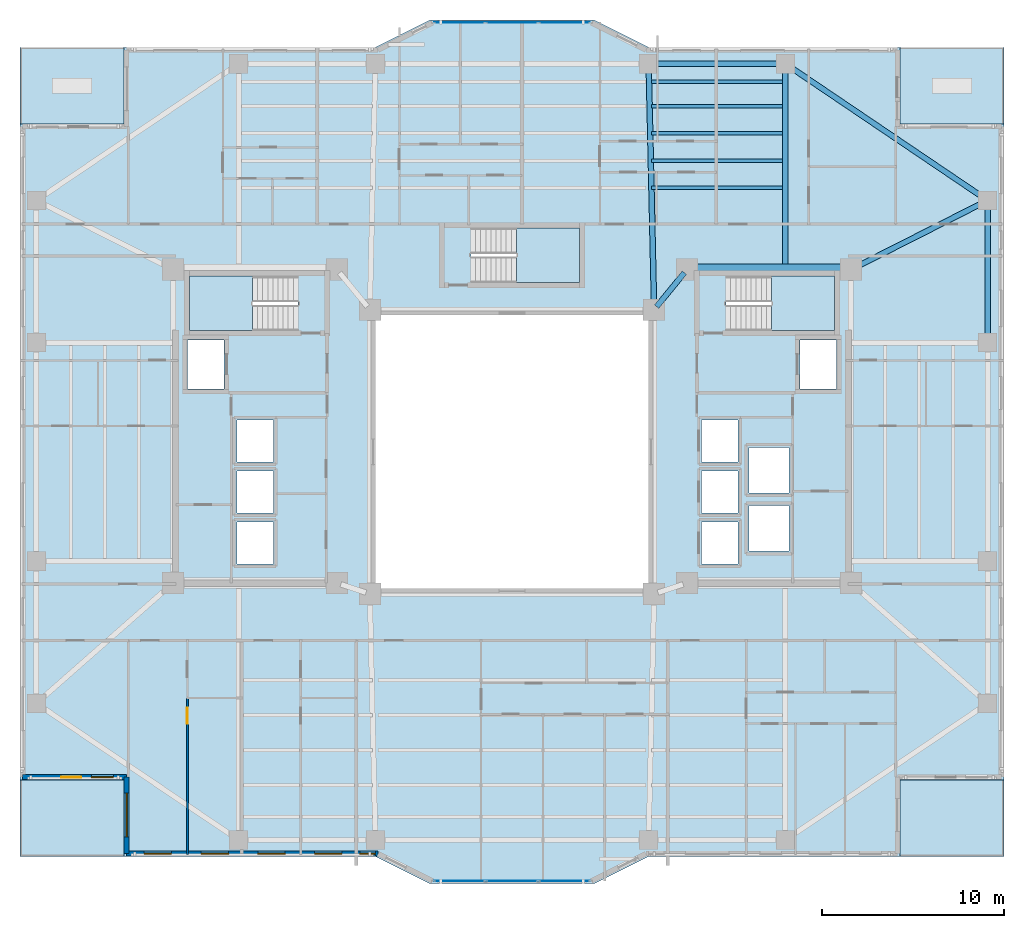
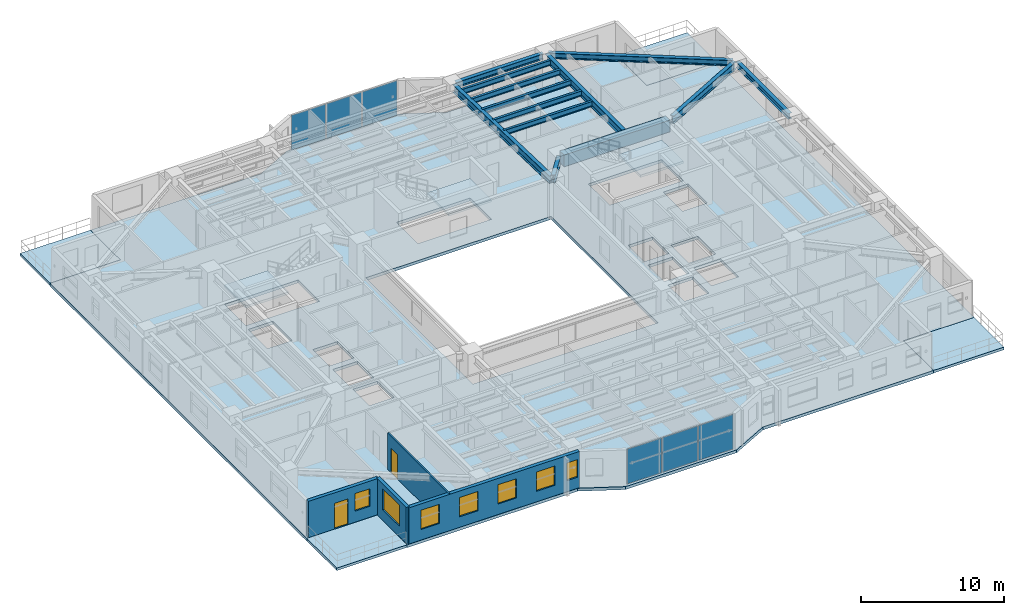
# One storey, part 5 of 19: 13 beams, 8 slabs, 7 windows, 6 plates, 4 walls, 2 doors, 9 openings, 5 elements without a shape of their own.
"""IFC4 building model written with IfcOpenShell, lengths in metres."""

from ifc_helpers import new_model, si_unit, direction, frame, frame_2d, origin, origin_2d, place, context, subcontext, project, spatial, polyline, rectangle, i_section, outline, extrude, material, layer, layer_set, material_profile, profile_set, type_object, element, fill, aggregate, save


model = new_model("IFC4")

# Units and contexts
model_context = context("Model", 3, precision=1e-05, world=origin(), true_north=direction((0.0, 1.0)))
body_context = subcontext(model_context, "Body", "Model", "MODEL_VIEW")
ifc_project = project(units=[si_unit("LENGTHUNIT", "METRE"), si_unit("AREAUNIT", "SQUARE_METRE"), si_unit("VOLUMEUNIT", "CUBIC_METRE"), si_unit("PLANEANGLEUNIT", "RADIAN"), si_unit("MASSUNIT", "GRAM", prefix="KILO")], contexts=[model_context])

# Site, building, storey
site_placement = place(None, origin())
site = spatial("IfcSite", under=ifc_project, at=site_placement, CompositionType="ELEMENT")
building_placement = place(site_placement, origin())
building = spatial("IfcBuilding", under=site, at=building_placement, Name="Tarnavaz Court Tower", CompositionType="ELEMENT")
storey_placement = place(building_placement, frame((0.0, 0.0, 78.300048828125)))
storey = spatial("IfcBuildingStorey", under=building, at=storey_placement, Name="L20", CompositionType="ELEMENT", Elevation=78.300048828125)

# Beams
ifc_material_1 = material(Name="Concrete C60/75", Category="concrete")
ifc_material_profile_1 = material_profile(ifc_material_1, rectangle(XDim=0.60009765625, YDim=1.0, at=origin_2d()), Name="RC 600X1000")
ifc_profile_set_1 = profile_set([ifc_material_profile_1], Name="Concrete C60/75")
beam_type_1 = type_object("IfcBeamType", Name="BM-CB1000", PredefinedType="LINTEL", material=ifc_profile_set_1)
beam_1_placement = place(storey_placement, frame((18.3798828125, 10.0, 2.599853515625), z_axis=(-1.0, 0.0, 0.0), x_axis=(0.0, -1.0, 0.0)))
element("IfcBeam", 1, at=beam_1_placement, inside=storey, type_object=beam_type_1, Name="L20 Beam IN-CE-NO-CE-NI", PredefinedType="LINTEL", context=body_context, shape_type="SweptSolid", body=[
    extrude(rectangle(XDim=0.60009765625, YDim=1.0, at=origin_2d()), origin(), (0.0, 0.0, 1.0), 8.559814453125),
])
ifc_material_2 = material(Name="Steel S355", Category="steel")
ifc_material_profile_2 = material_profile(ifc_material_2, i_section(OverallWidth=0.300048828125, OverallDepth=0.64990234375, WebThickness=0.01611328125, FlangeThickness=0.031005859375, FilletRadius=0.027099609375, at=origin_2d()), Name="HEB 650")
ifc_profile_set_2 = profile_set([ifc_material_profile_2], Name="Steel S355")
beam_type_2 = type_object("IfcBeamType", Name="BM-G-HEB650", PredefinedType="USERDEFINED", material=ifc_profile_set_2)
beam_2_placement = place(storey_placement, frame((9.460693359375, 9.82958984375, 2.77490234375), z_axis=(-0.633282058357, -0.773921077735, 0.0), x_axis=(0.773921077735, -0.633282058357, 0.0)))
element("IfcBeam", 2, at=beam_2_placement, inside=storey, type_object=beam_type_2, Name="L20 Beam IN-CE-NI-IW-NE", ObjectType="GIRDER", PredefinedType="USERDEFINED", context=body_context, shape_type="SweptSolid", body=[
    extrude(i_section(OverallWidth=0.300048828125, OverallDepth=0.64990234375, WebThickness=0.01611328125, FlangeThickness=0.031005859375, FilletRadius=0.027099609375, at=origin_2d()), origin(), (0.0, 0.0, 1.0), 2.402587890625),
])
beam_3_placement = place(storey_placement, frame((7.795166015625, 8.02001953125, 2.77490234375), z_axis=(-0.022221303469, 0.99975307635, 0.0), x_axis=(-0.99975307635, -0.022221303469, 0.0)))
element("IfcBeam", 3, at=beam_3_placement, inside=storey, type_object=beam_type_2, Name="L20 Beam RG-03", ObjectType="GIRDER", PredefinedType="USERDEFINED", context=body_context, shape_type="SweptSolid", body=[
    extrude(i_section(OverallWidth=0.300048828125, OverallDepth=0.64990234375, WebThickness=0.01611328125, FlangeThickness=0.031005859375, FilletRadius=0.027099609375, at=origin_2d()), origin(), (0.0, 0.0, 1.0), 13.063232421875),
])
beam_4_placement = place(storey_placement, frame((15.0, 10.0400390625, 2.77490234375), z_axis=(0.0, 1.0, 0.0), x_axis=(-1.0, 0.0, 0.0)))
element("IfcBeam", 4, at=beam_4_placement, inside=storey, type_object=beam_type_2, Name="L20 Beam RG-04", ObjectType="GIRDER", PredefinedType="USERDEFINED", context=body_context, shape_type="SweptSolid", body=[
    extrude(i_section(OverallWidth=0.300048828125, OverallDepth=0.64990234375, WebThickness=0.01611328125, FlangeThickness=0.031005859375, FilletRadius=0.027099609375, at=origin_2d()), origin(), (0.0, 0.0, 1.0), 11.0400390625),
])
beam_5_placement = place(storey_placement, frame((18.796142578125, 10.099365234375, 2.77490234375), z_axis=(0.892030669981, 0.451974870776, 0.0), x_axis=(-0.451974870776, 0.892030669981, 0.0)))
element("IfcBeam", 5, at=beam_5_placement, inside=storey, type_object=beam_type_2, Name="L20 Beam RG-12", ObjectType="GIRDER", PredefinedType="USERDEFINED", context=body_context, shape_type="SweptSolid", body=[
    extrude(i_section(OverallWidth=0.300048828125, OverallDepth=0.64990234375, WebThickness=0.01611328125, FlangeThickness=0.031005859375, FilletRadius=0.027099609375, at=origin_2d()), origin(), (0.0, 0.0, 1.0), 7.968017578125),
])
ifc_material_profile_3 = material_profile(ifc_material_2, i_section(OverallWidth=0.18994140625, OverallDepth=0.449951171875, WebThickness=0.009521484375, FlangeThickness=0.0146484375, FilletRadius=0.02099609375, at=origin_2d()), Name="IPE 450")
ifc_profile_set_3 = profile_set([ifc_material_profile_3], Name="Steel S355")
beam_type_3 = type_object("IfcBeamType", Name="BM-J-IPE450", PredefinedType="JOIST", material=ifc_profile_set_3)
for number, where, z_axis, x_axis, name in (
    (6, (7.64990234375, 14.493896484375, 2.875), (1.0, 0.0, 0.0), (0.0, 1.0, 0.0), "L20 Beam JN1-3"),
    (7, (7.64990234375, 15.988037109375, 2.875), (1.0, 0.0, 0.0), (0.0, 1.0, 0.0), "L20 Beam JN2-3"),
    (8, (7.64990234375, 17.48193359375, 2.875), (1.0, 0.0, 0.0), (0.0, 1.0, 0.0), "L20 Beam JN3-3"),
    (9, (7.64990234375, 18.97607421875, 2.875), (1.0, 0.0, 0.0), (0.0, 1.0, 0.0), "L20 Beam JN4-3"),
    (10, (7.64990234375, 20.303955078125, 2.875), (1.0, 0.0, 0.0), (0.0, 1.0, 0.0), "L20 Beam JN5-3"),
):
    element("IfcBeam", number, at=place(storey_placement, frame(where, z_axis=z_axis, x_axis=x_axis)), inside=storey, type_object=beam_type_3, Name=name, PredefinedType="JOIST", context=body_context, shape_type="SweptSolid", body=[
        extrude(i_section(OverallWidth=0.18994140625, OverallDepth=0.449951171875, WebThickness=0.009521484375, FlangeThickness=0.0146484375, FilletRadius=0.02099609375, at=origin_2d()), origin(), (0.0, 0.0, 1.0), 7.2001953125),
    ])
ifc_material_profile_4 = material_profile(ifc_material_2, i_section(OverallWidth=0.300048828125, OverallDepth=0.489990234375, WebThickness=0.011962890625, FlangeThickness=0.02294921875, FilletRadius=0.027099609375, at=origin_2d()), Name="HEA 500")
ifc_profile_set_4 = profile_set([ifc_material_profile_4], Name="Steel S355")
beam_type_4 = type_object("IfcBeamType", Name="BM-SP-HEA500", PredefinedType="SPANDREL", material=ifc_profile_set_4)
beam_6_placement = place(storey_placement, frame((7.719970703125, 21.300048828125, 2.85498046875), z_axis=(1.0, 0.0, 0.0), x_axis=(0.0, 1.0, 0.0)))
element("IfcBeam", 11, at=beam_6_placement, inside=storey, type_object=beam_type_4, Name="L20 Beam PR-PN-3-PN-4", PredefinedType="SPANDREL", context=body_context, shape_type="SweptSolid", body=[
    extrude(i_section(OverallWidth=0.300048828125, OverallDepth=0.489990234375, WebThickness=0.011962890625, FlangeThickness=0.02294921875, FilletRadius=0.027099609375, at=origin_2d()), origin(), (0.0, 0.0, 1.0), 7.06005859375),
])
beam_7_placement = place(storey_placement, frame((26.10009765625, 6.219970703125, 2.85498046875), z_axis=(0.0, 1.0, 0.0), x_axis=(-1.0, 0.0, 0.0)))
element("IfcBeam", 12, at=beam_7_placement, inside=storey, type_object=beam_type_4, Name="L20 Beam PR-PE-3-PE-4", PredefinedType="SPANDREL", context=body_context, shape_type="SweptSolid", body=[
    extrude(i_section(OverallWidth=0.300048828125, OverallDepth=0.489990234375, WebThickness=0.011962890625, FlangeThickness=0.02294921875, FilletRadius=0.027099609375, at=origin_2d()), origin(), (0.0, 0.0, 1.0), 7.360107421875),
])
beam_8_placement = place(storey_placement, frame((15.182373046875, 21.1767578125, 2.85498046875), z_axis=(0.828587314918, -0.559859858854, 0.0), x_axis=(0.559859858854, 0.828587314918, 0.0)))
element("IfcBeam", 13, at=beam_8_placement, inside=storey, type_object=beam_type_4, Name="L20 Beam PR-PN-4-PE-4", PredefinedType="SPANDREL", context=body_context, shape_type="SweptSolid", body=[
    extrude(i_section(OverallWidth=0.300048828125, OverallDepth=0.489990234375, WebThickness=0.011962890625, FlangeThickness=0.02294921875, FilletRadius=0.027099609375, at=origin_2d()), origin(), (0.0, 0.0, 1.0), 12.956298828125),
])

# Curtain wall, plates
ifc_material_3 = material(Name="Anodised Aluminium 6063-T6 and Solar Low-E Glazing", Category="aluminium")
ifc_layer_1 = layer(ifc_material_3, 0.179931640625)
ifc_layer_set_1 = layer_set([ifc_layer_1], Name="Anodised Aluminium 6063-T6 and Solar Low-E Glazing")
curtain_wall_type = type_object("IfcCurtainWallType", Name="CW-SYS-02", PredefinedType="NOTDEFINED", material=ifc_layer_set_1)
curtain_wall_1_placement = place(storey_placement, origin())
curtain_wall_1 = element("IfcCurtainWall", 14, at=curtain_wall_1_placement, inside=storey, type_object=curtain_wall_type, Name="L20 Iwan Prow Curtain Wall 7", PredefinedType="NOTDEFINED")
ifc_material_4 = material(Name="Double-Glazed Solar Low-E Glass", Category="glass")
ifc_layer_2 = layer(ifc_material_4, 0.028076171875)
ifc_layer_set_2 = layer_set([ifc_layer_2], Name="Double-Glazed Solar Low-E Glass")
plate_type = type_object("IfcPlateType", Name="CW-PAN-GLZ28", PredefinedType="CURTAIN_PANEL", material=ifc_layer_set_2)
plate_1_placement = place(storey_placement, frame((-2.88134765625, 23.550048828125, 0.06494140625), z_axis=(0.0, 0.0, 1.0), x_axis=(1.0, 0.0, 0.0)))
plate_1 = element("IfcPlate", 15, at=plate_1_placement, type_object=plate_type, Name="CW panel 1.1", PredefinedType="CURTAIN_PANEL", context=body_context, shape_type="SweptSolid", body=[
    extrude(rectangle(XDim=2.78759765625, YDim=0.028076171875, at=origin_2d()), origin(), (0.0, 0.0, 1.0), 2.969970703125),
])
plate_2_placement = place(storey_placement, frame((0.0, 23.550048828125, 0.06494140625), z_axis=(0.0, 0.0, 1.0), x_axis=(1.0, 0.0, 0.0)))
plate_2 = element("IfcPlate", 16, at=plate_2_placement, type_object=plate_type, Name="CW panel 2.1", PredefinedType="CURTAIN_PANEL", context=body_context, shape_type="SweptSolid", body=[
    extrude(rectangle(XDim=2.824951171875, YDim=0.028076171875, at=origin_2d()), origin(), (0.0, 0.0, 1.0), 2.969970703125),
])
plate_3_placement = place(storey_placement, frame((2.88134765625, 23.550048828125, 0.06494140625), z_axis=(0.0, 0.0, 1.0), x_axis=(1.0, 0.0, 0.0)))
plate_3 = element("IfcPlate", 17, at=plate_3_placement, type_object=plate_type, Name="CW panel 3.1", PredefinedType="CURTAIN_PANEL", context=body_context, shape_type="SweptSolid", body=[
    extrude(rectangle(XDim=2.78759765625, YDim=0.028076171875, at=origin_2d()), origin(), (0.0, 0.0, 1.0), 2.969970703125),
])
aggregate(curtain_wall_1, [plate_1, plate_2, plate_3])

curtain_wall_2_placement = place(storey_placement, origin())
curtain_wall_2 = element("IfcCurtainWall", 18, at=curtain_wall_2_placement, inside=storey, type_object=curtain_wall_type, Name="L20 Iwan Prow Curtain Wall 17", PredefinedType="NOTDEFINED")
plate_4_placement = place(storey_placement, frame((2.88134765625, -23.550048828125, 0.06494140625), z_axis=(0.0, 0.0, 1.0), x_axis=(-1.0, 0.0, 0.0)))
plate_4 = element("IfcPlate", 19, at=plate_4_placement, type_object=plate_type, Name="CW panel 1.1", PredefinedType="CURTAIN_PANEL", context=body_context, shape_type="SweptSolid", body=[
    extrude(rectangle(XDim=2.78759765625, YDim=0.028076171875, at=origin_2d()), origin(), (0.0, 0.0, 1.0), 2.969970703125),
])
plate_5_placement = place(storey_placement, frame((0.0, -23.550048828125, 0.06494140625), z_axis=(0.0, 0.0, 1.0), x_axis=(-1.0, 0.0, 0.0)))
plate_5 = element("IfcPlate", 20, at=plate_5_placement, type_object=plate_type, Name="CW panel 2.1", PredefinedType="CURTAIN_PANEL", context=body_context, shape_type="SweptSolid", body=[
    extrude(rectangle(XDim=2.824951171875, YDim=0.028076171875, at=origin_2d()), origin(), (0.0, 0.0, 1.0), 2.969970703125),
])
plate_6_placement = place(storey_placement, frame((-2.88134765625, -23.550048828125, 0.06494140625), z_axis=(0.0, 0.0, 1.0), x_axis=(-1.0, 0.0, 0.0)))
plate_6 = element("IfcPlate", 21, at=plate_6_placement, type_object=plate_type, Name="CW panel 3.1", PredefinedType="CURTAIN_PANEL", context=body_context, shape_type="SweptSolid", body=[
    extrude(rectangle(XDim=2.78759765625, YDim=0.028076171875, at=origin_2d()), origin(), (0.0, 0.0, 1.0), 2.969970703125),
])
aggregate(curtain_wall_2, [plate_4, plate_5, plate_6])

# Stair, slab
ifc_material_5 = material(Name="Concrete C40/50", Category="concrete")
stair_type = type_object("IfcStairType", Name="ST-TWR-20R", PredefinedType="HALF_TURN_STAIR", material=ifc_material_5)
stair_1_placement = place(storey_placement, origin())
stair_1 = element("IfcStair", 22, at=stair_1_placement, inside=storey, type_object=stair_type, Name="L20 West Core Pressurized Exit Stair ST-W1", PredefinedType="HALF_TURN_STAIR")
ifc_layer_3 = layer(ifc_material_5, 0.199951171875)
ifc_layer_set_3 = layer_set([ifc_layer_3], Name="Concrete C40/50")
slab_type_1 = type_object("IfcSlabType", Name="SL-LAND-200", PredefinedType="LANDING", material=ifc_layer_set_3)
slab_1_placement = place(storey_placement, frame((0.0, 0.0, 1.474853515625)))
slab_1 = element("IfcSlab", 23, at=slab_1_placement, type_object=slab_type_1, Name="ST-W1 landing 1", PredefinedType="LANDING", context=body_context, shape_type="SweptSolid", body=[
    extrude(outline(polyline([(-14.239990234375, 9.639892578125), (-17.699951171875, 9.639892578125), (-17.699951171875, 6.64990234375), (-14.239990234375, 6.64990234375), (-14.239990234375, 9.639892578125)])), origin(), (0.0, 0.0, 1.0), 0.2001953125),
])
aggregate(stair_1, [slab_1])

stair_2_placement = place(storey_placement, origin())
stair_2 = element("IfcStair", 24, at=stair_2_placement, inside=storey, type_object=stair_type, Name="L20 East Core Pressurized Exit Stair ST-E1", PredefinedType="HALF_TURN_STAIR")
slab_2_placement = place(storey_placement, frame((0.0, 0.0, 1.474853515625)))
slab_2 = element("IfcSlab", 25, at=slab_2_placement, type_object=slab_type_1, Name="ST-E1 landing 1", PredefinedType="LANDING", context=body_context, shape_type="SweptSolid", body=[
    extrude(outline(polyline([(14.239990234375, 6.64990234375), (17.699951171875, 6.64990234375), (17.699951171875, 9.639892578125), (14.239990234375, 9.639892578125), (14.239990234375, 6.64990234375)])), origin(), (0.0, 0.0, 1.0), 0.2001953125),
])
aggregate(stair_2, [slab_2])

stair_3_placement = place(storey_placement, origin())
stair_3 = element("IfcStair", 26, at=stair_3_placement, inside=storey, type_object=stair_type, Name="L20 North Ring Pressurized Exit Stair ST-N1", PredefinedType="HALF_TURN_STAIR")
slab_3_placement = place(storey_placement, frame((0.0, 0.0, 1.474853515625)))
slab_3 = element("IfcSlab", 27, at=slab_3_placement, type_object=slab_type_1, Name="ST-N1 landing 1", PredefinedType="LANDING", context=body_context, shape_type="SweptSolid", body=[
    extrude(outline(polyline([(0.239990234375, 9.300048828125), (3.699951171875, 9.300048828125), (3.699951171875, 12.2900390625), (0.239990234375, 12.2900390625), (0.239990234375, 9.300048828125)])), origin(), (0.0, 0.0, 1.0), 0.2001953125),
])
aggregate(stair_3, [slab_3])

# Slabs
ifc_layer_4 = layer(ifc_material_5, 0.25)
ifc_layer_set_4 = layer_set([ifc_layer_4], Name="Concrete C40/50")
slab_type_2 = type_object("IfcSlabType", Name="SL-RES-250", PredefinedType="FLOOR", material=ifc_layer_set_4)
slab_4_placement = place(storey_placement, frame((0.0, 0.0, -0.25)))
element("IfcSlab", 28, at=slab_4_placement, inside=storey, type_object=slab_type_2, Name="L20 Structural Floor Slab", PredefinedType="FLOOR", context=body_context, shape_type="SweptSolid", body=[
    extrude(outline(polyline([(-21.300048828125, -22.199951171875), (-7.5, -22.199951171875), (-4.5, -23.699951171875), (4.5, -23.699951171875), (7.5, -22.199951171875), (21.300048828125, -22.199951171875), (21.300048828125, -18.0), (27.0, -18.0), (27.0, 18.0), (21.300048828125, 18.0), (21.300048828125, 22.199951171875), (7.5, 22.199951171875), (4.5, 23.699951171875), (-4.5, 23.699951171875), (-7.5, 22.199951171875), (-21.300048828125, 22.199951171875), (-21.300048828125, 18.0), (-27.0, 18.0), (-27.0, -18.0), (-21.300048828125, -18.0), (-21.300048828125, -22.199951171875)]), holes=[polyline([(-7.5, -7.5), (7.5, -7.5), (7.5, 7.5), (-7.5, 7.5), (-7.5, -7.5)]), polyline([(-11.7451171875, 9.639892578125), (-17.699951171875, 9.639892578125), (-17.699951171875, 6.64990234375), (-11.7451171875, 6.64990234375), (-11.7451171875, 9.639892578125)]), polyline([(11.7451171875, 6.64990234375), (17.699951171875, 6.64990234375), (17.699951171875, 9.639892578125), (11.7451171875, 9.639892578125), (11.7451171875, 6.64990234375)]), polyline([(-2.2548828125, 9.300048828125), (3.699951171875, 9.300048828125), (3.699951171875, 12.2900390625), (-2.2548828125, 12.2900390625), (-2.2548828125, 9.300048828125)]), polyline([(-17.800048828125, 3.449951171875), (-15.800048828125, 3.449951171875), (-15.800048828125, 6.14990234375), (-17.800048828125, 6.14990234375), (-17.800048828125, 3.449951171875)]), polyline([(-15.10009765625, -6.14990234375), (-13.10009765625, -6.14990234375), (-13.10009765625, -3.85009765625), (-15.10009765625, -3.85009765625), (-15.10009765625, -6.14990234375)]), polyline([(-15.10009765625, -3.35009765625), (-13.10009765625, -3.35009765625), (-13.10009765625, -1.050048828125), (-15.10009765625, -1.050048828125), (-15.10009765625, -3.35009765625)]), polyline([(-15.10009765625, -0.550048828125), (-13.10009765625, -0.550048828125), (-13.10009765625, 1.75), (-15.10009765625, 1.75), (-15.10009765625, -0.550048828125)]), polyline([(15.800048828125, 3.449951171875), (17.800048828125, 3.449951171875), (17.800048828125, 6.14990234375), (15.800048828125, 6.14990234375), (15.800048828125, 3.449951171875)]), polyline([(10.39990234375, -6.14990234375), (12.39990234375, -6.14990234375), (12.39990234375, -3.85009765625), (10.39990234375, -3.85009765625), (10.39990234375, -6.14990234375)]), polyline([(10.39990234375, -3.35009765625), (12.39990234375, -3.35009765625), (12.39990234375, -1.050048828125), (10.39990234375, -1.050048828125), (10.39990234375, -3.35009765625)]), polyline([(10.39990234375, -0.550048828125), (12.39990234375, -0.550048828125), (12.39990234375, 1.75), (10.39990234375, 1.75), (10.39990234375, -0.550048828125)]), polyline([(13.0, -5.449951171875), (15.199951171875, -5.449951171875), (15.199951171875, -2.949951171875), (13.0, -2.949951171875), (13.0, -5.449951171875)]), polyline([(13.0, -2.25), (15.199951171875, -2.25), (15.199951171875, 0.25), (13.0, 0.25), (13.0, -2.25)])]), origin(), (0.0, 0.0, 1.0), 0.25),
])
ifc_layer_5 = layer(ifc_material_5, 0.219970703125)
ifc_layer_set_5 = layer_set([ifc_layer_5], Name="Concrete C40/50")
slab_type_3 = type_object("IfcSlabType", Name="SL-TERR-220", PredefinedType="FLOOR", material=ifc_layer_set_5)
slab_5_placement = place(storey_placement, frame((0.0, 0.0, -0.219970703125)))
element("IfcSlab", 29, at=slab_5_placement, inside=storey, type_object=slab_type_3, Name="L20 NE Planted Sky Terrace", PredefinedType="FLOOR", context=body_context, shape_type="SweptSolid", body=[
    extrude(outline(polyline([(21.300048828125, 18.0), (27.0, 18.0), (27.0, 22.199951171875), (21.300048828125, 22.199951171875), (21.300048828125, 18.0)])), origin(), (0.0, 0.0, 1.0), 0.219970703125),
])
slab_6_placement = place(storey_placement, frame((0.0, 0.0, -0.219970703125)))
element("IfcSlab", 30, at=slab_6_placement, inside=storey, type_object=slab_type_3, Name="L20 NW Planted Sky Terrace", PredefinedType="FLOOR", context=body_context, shape_type="SweptSolid", body=[
    extrude(outline(polyline([(-27.0, 18.0), (-21.300048828125, 18.0), (-21.300048828125, 22.199951171875), (-27.0, 22.199951171875), (-27.0, 18.0)])), origin(), (0.0, 0.0, 1.0), 0.219970703125),
])
slab_7_placement = place(storey_placement, frame((0.0, 0.0, -0.219970703125)))
element("IfcSlab", 31, at=slab_7_placement, inside=storey, type_object=slab_type_3, Name="L20 SE Planted Sky Terrace", PredefinedType="FLOOR", context=body_context, shape_type="SweptSolid", body=[
    extrude(outline(polyline([(21.300048828125, -22.199951171875), (27.0, -22.199951171875), (27.0, -18.0), (21.300048828125, -18.0), (21.300048828125, -22.199951171875)])), origin(), (0.0, 0.0, 1.0), 0.219970703125),
])
slab_8_placement = place(storey_placement, frame((0.0, 0.0, -0.219970703125)))
element("IfcSlab", 32, at=slab_8_placement, inside=storey, type_object=slab_type_3, Name="L20 SW Planted Sky Terrace", PredefinedType="FLOOR", context=body_context, shape_type="SweptSolid", body=[
    extrude(outline(polyline([(-27.0, -22.199951171875), (-21.300048828125, -22.199951171875), (-21.300048828125, -18.0), (-27.0, -18.0), (-27.0, -22.199951171875)])), origin(), (0.0, 0.0, 1.0), 0.219970703125),
])

# Wall, openings, door, window
ifc_material_6 = material(Name="Precast Concrete C40/50", Category="concrete")
ifc_layer_6 = layer(ifc_material_6, 0.280029296875)
ifc_layer_set_6 = layer_set([ifc_layer_6], Name="Precast Concrete C40/50")
wall_type_1 = type_object("IfcWallType", Name="WL-EXT-280", PredefinedType="SOLIDWALL", material=ifc_layer_set_6)
wall_1_placement = place(storey_placement, frame((-21.14990234375, -17.85009765625, 0.0), z_axis=(0.0, 0.0, 1.0), x_axis=(-1.0, 0.0, 0.0)))
wall_1 = element("IfcWall", 33, at=wall_1_placement, inside=storey, type_object=wall_type_1, Name="L20 Exterior Terracotta Facade Wall 01", PredefinedType="SOLIDWALL", context=body_context, shape_type="SweptSolid", body=[
    extrude(rectangle(XDim=5.7001953125, YDim=0.280029296875, at=frame_2d((2.85009765625, 0.0))), origin(), (0.0, 0.0, 1.0), 3.099853515625),
])
opening_1_placement = place(wall_1_placement, frame((2.5, 0.0, 0.0)))
opening_1 = element("IfcOpeningElement", 34, at=opening_1_placement, cuts=wall_1, Name="Opening TD1", PredefinedType="OPENING", context=body_context, shape_type="SweptSolid", body=[
    extrude(rectangle(XDim=1.10009765625, YDim=2.199951171875, at=frame_2d((0.550048828125, 1.10009765625))), frame((0.0, 0.14990234375, 0.0), z_axis=(0.0, -1.0, 0.0), x_axis=(1.0, 0.0, 0.0)), (0.0, 0.0, 1.0), 0.300048828125),
])
opening_2_placement = place(wall_1_placement, frame((0.72998046875, 0.0, 0.949951171875)))
opening_2 = element("IfcOpeningElement", 35, at=opening_2_placement, cuts=wall_1, Name="Opening W05", PredefinedType="OPENING", context=body_context, shape_type="SweptSolid", body=[
    extrude(rectangle(XDim=1.199951171875, YDim=1.5, at=frame_2d((0.60009765625, 0.75))), frame((0.0, 0.14990234375, 0.0), z_axis=(0.0, -1.0, 0.0), x_axis=(1.0, 0.0, 0.0)), (0.0, 0.0, 1.0), 0.300048828125),
])
ifc_material_7 = material(Name="Thermally Broken Aluminium and Laminated Glass", Category="aluminium")
door_type_1 = type_object("IfcDoorType", Name="DR-TERR-1100", OperationType="NOTDEFINED", PredefinedType="DOOR", material=ifc_material_7)
door_1_placement = place(opening_1_placement, origin())
door_1 = element("IfcDoor", 36, at=door_1_placement, inside=storey, type_object=door_type_1, Name="L20 Sky Terrace Access Door 4", OperationType="SINGLE_SWING_RIGHT", OverallHeight=2.199951171875, OverallWidth=1.10009765625, PredefinedType="DOOR", context=body_context, shape_type="SweptSolid", body=[
    extrude(rectangle(XDim=1.10009765625, YDim=2.199951171875, at=frame_2d((0.550048828125, 1.10009765625))), frame((0.0, 0.02490234375, 0.0), z_axis=(0.0, -1.0, 0.0), x_axis=(1.0, 0.0, 0.0)), (0.0, 0.0, 1.0), 0.050048828125),
])
fill(opening_1, door_1)
window_type_1 = type_object("IfcWindowType", Name="WN-APT-1200", PartitioningType="SINGLE_PANEL", PredefinedType="WINDOW", material=ifc_material_4)
window_1_placement = place(opening_2_placement, origin())
window_1 = element("IfcWindow", 37, at=window_1_placement, inside=storey, type_object=window_type_1, Name="L20 South-West Corner Reading Room Window", OverallHeight=1.5, OverallWidth=1.199951171875, PartitioningType="SINGLE_PANEL", PredefinedType="WINDOW", context=body_context, shape_type="SweptSolid", body=[
    extrude(rectangle(XDim=1.199951171875, YDim=1.5, at=frame_2d((0.60009765625, 0.75))), frame((0.0, 0.030029296875, 0.0), z_axis=(0.0, -1.0, 0.0), x_axis=(1.0, 0.0, 0.0)), (0.0, 0.0, 1.0), 0.06005859375),
])
fill(opening_2, window_1)

# Wall, openings, windows
wall_2_placement = place(storey_placement, frame((-7.35009765625, -22.050048828125, 0.0), z_axis=(0.0, 0.0, 1.0), x_axis=(-1.0, 0.0, 0.0)))
wall_2 = element("IfcWall", 38, at=wall_2_placement, inside=storey, type_object=wall_type_1, Name="L20 Exterior Terracotta Facade Wall 19", PredefinedType="SOLIDWALL", context=body_context, shape_type="SweptSolid", body=[
    extrude(rectangle(XDim=13.7998046875, YDim=0.280029296875, at=frame_2d((6.89990234375, 0.0))), origin(), (0.0, 0.0, 1.0), 3.099853515625),
])
opening_3_placement = place(wall_2_placement, frame((0.14697265625, 0.0, 0.949951171875)))
opening_3 = element("IfcOpeningElement", 39, at=opening_3_placement, cuts=wall_2, Name="Opening W15", PredefinedType="OPENING", context=body_context, shape_type="SweptSolid", body=[
    extrude(rectangle(XDim=0.85009765625, YDim=1.5, at=frame_2d((0.425048828125, 0.75))), frame((0.0, 0.14990234375, 0.0), z_axis=(0.0, -1.0, 0.0), x_axis=(1.0, 0.0, 0.0)), (0.0, 0.0, 1.0), 0.300048828125),
])
opening_4_placement = place(wall_2_placement, frame((1.98486328125, 0.0, 0.89990234375)))
opening_4 = element("IfcOpeningElement", 40, at=opening_4_placement, cuts=wall_2, Name="Opening W03", PredefinedType="OPENING", context=body_context, shape_type="SweptSolid", body=[
    extrude(rectangle(XDim=1.5, YDim=1.64990234375, at=frame_2d((0.75, 0.824951171875))), frame((0.0, 0.14990234375, 0.0), z_axis=(0.0, -1.0, 0.0), x_axis=(1.0, 0.0, 0.0)), (0.0, 0.0, 1.0), 0.300048828125),
])
opening_5_placement = place(wall_2_placement, frame((5.09619140625, 0.0, 0.89990234375)))
opening_5 = element("IfcOpeningElement", 41, at=opening_5_placement, cuts=wall_2, Name="Opening W03", PredefinedType="OPENING", context=body_context, shape_type="SweptSolid", body=[
    extrude(rectangle(XDim=1.5, YDim=1.64990234375, at=frame_2d((0.75, 0.824951171875))), frame((0.0, 0.14990234375, 0.0), z_axis=(0.0, -1.0, 0.0), x_axis=(1.0, 0.0, 0.0)), (0.0, 0.0, 1.0), 0.300048828125),
])
opening_6_placement = place(wall_2_placement, frame((8.20751953125, 0.0, 0.89990234375)))
opening_6 = element("IfcOpeningElement", 42, at=opening_6_placement, cuts=wall_2, Name="Opening W03", PredefinedType="OPENING", context=body_context, shape_type="SweptSolid", body=[
    extrude(rectangle(XDim=1.5, YDim=1.64990234375, at=frame_2d((0.75, 0.824951171875))), frame((0.0, 0.14990234375, 0.0), z_axis=(0.0, -1.0, 0.0), x_axis=(1.0, 0.0, 0.0)), (0.0, 0.0, 1.0), 0.300048828125),
])
opening_7_placement = place(wall_2_placement, frame((11.34375, 0.0, 0.89990234375)))
opening_7 = element("IfcOpeningElement", 43, at=opening_7_placement, cuts=wall_2, Name="Opening W03", PredefinedType="OPENING", context=body_context, shape_type="SweptSolid", body=[
    extrude(rectangle(XDim=1.5, YDim=1.64990234375, at=frame_2d((0.75, 0.824951171875))), frame((0.0, 0.14990234375, 0.0), z_axis=(0.0, -1.0, 0.0), x_axis=(1.0, 0.0, 0.0)), (0.0, 0.0, 1.0), 0.300048828125),
])
window_type_2 = type_object("IfcWindowType", Name="WN-APT-1500", PartitioningType="DOUBLE_PANEL_VERTICAL", PredefinedType="WINDOW", material=ifc_material_4)
window_2_placement = place(opening_4_placement, origin())
window_2 = element("IfcWindow", 44, at=window_2_placement, inside=storey, type_object=window_type_2, Name="L20 Flat 06 Kitchen Window", OverallHeight=1.64990234375, OverallWidth=1.5, PartitioningType="SINGLE_PANEL", PredefinedType="WINDOW", context=body_context, shape_type="SweptSolid", body=[
    extrude(rectangle(XDim=1.5, YDim=1.64990234375, at=frame_2d((0.75, 0.824951171875))), frame((0.0, 0.030029296875, 0.0), z_axis=(0.0, -1.0, 0.0), x_axis=(1.0, 0.0, 0.0)), (0.0, 0.0, 1.0), 0.06005859375),
])
fill(opening_4, window_2)
window_3_placement = place(opening_5_placement, origin())
window_3 = element("IfcWindow", 45, at=window_3_placement, inside=storey, type_object=window_type_2, Name="L20 Flat 06 Studio Living and Sleeping Room Window", OverallHeight=1.64990234375, OverallWidth=1.5, PartitioningType="SINGLE_PANEL", PredefinedType="WINDOW", context=body_context, shape_type="SweptSolid", body=[
    extrude(rectangle(XDim=1.5, YDim=1.64990234375, at=frame_2d((0.75, 0.824951171875))), frame((0.0, 0.030029296875, 0.0), z_axis=(0.0, -1.0, 0.0), x_axis=(1.0, 0.0, 0.0)), (0.0, 0.0, 1.0), 0.06005859375),
])
fill(opening_5, window_3)
window_4_placement = place(opening_6_placement, origin())
window_4 = element("IfcWindow", 46, at=window_4_placement, inside=storey, type_object=window_type_2, Name="L20 Flat 05 Kitchen Window", OverallHeight=1.64990234375, OverallWidth=1.5, PartitioningType="SINGLE_PANEL", PredefinedType="WINDOW", context=body_context, shape_type="SweptSolid", body=[
    extrude(rectangle(XDim=1.5, YDim=1.64990234375, at=frame_2d((0.75, 0.824951171875))), frame((0.0, 0.030029296875, 0.0), z_axis=(0.0, -1.0, 0.0), x_axis=(1.0, 0.0, 0.0)), (0.0, 0.0, 1.0), 0.06005859375),
])
fill(opening_6, window_4)
window_5_placement = place(opening_7_placement, origin())
window_5 = element("IfcWindow", 47, at=window_5_placement, inside=storey, type_object=window_type_2, Name="L20 Flat 05 Studio Living and Sleeping Room Window", OverallHeight=1.64990234375, OverallWidth=1.5, PartitioningType="SINGLE_PANEL", PredefinedType="WINDOW", context=body_context, shape_type="SweptSolid", body=[
    extrude(rectangle(XDim=1.5, YDim=1.64990234375, at=frame_2d((0.75, 0.824951171875))), frame((0.0, 0.030029296875, 0.0), z_axis=(0.0, -1.0, 0.0), x_axis=(1.0, 0.0, 0.0)), (0.0, 0.0, 1.0), 0.06005859375),
])
fill(opening_7, window_5)
window_type_3 = type_object("IfcWindowType", Name="WN-APT-850", PartitioningType="SINGLE_PANEL", PredefinedType="WINDOW", material=ifc_material_4)
window_6_placement = place(opening_3_placement, origin())
window_6 = element("IfcWindow", 48, at=window_6_placement, inside=storey, type_object=window_type_3, Name="L20 Flat 08 Living and Dining Room Window", OverallHeight=1.5, OverallWidth=0.85009765625, PartitioningType="SINGLE_PANEL", PredefinedType="WINDOW", context=body_context, shape_type="SweptSolid", body=[
    extrude(rectangle(XDim=0.85009765625, YDim=1.5, at=frame_2d((0.425048828125, 0.75))), frame((0.0, 0.030029296875, 0.0), z_axis=(0.0, -1.0, 0.0), x_axis=(1.0, 0.0, 0.0)), (0.0, 0.0, 1.0), 0.06005859375),
])
fill(opening_3, window_6)

# Wall, opening, window
wall_3_placement = place(storey_placement, frame((-21.14990234375, -22.050048828125, 0.0), z_axis=(0.0, 0.0, 1.0), x_axis=(0.0, 1.0, 0.0)))
wall_3 = element("IfcWall", 49, at=wall_3_placement, inside=storey, type_object=wall_type_1, Name="L20 Exterior Terracotta Facade Wall 20", PredefinedType="SOLIDWALL", context=body_context, shape_type="SweptSolid", body=[
    extrude(rectangle(XDim=4.199951171875, YDim=0.280029296875, at=frame_2d((2.10009765625, 0.0))), origin(), (0.0, 0.0, 1.0), 3.099853515625),
])
opening_8_placement = place(wall_3_placement, frame((0.917724609375, 0.0, 0.89990234375)))
opening_8 = element("IfcOpeningElement", 50, at=opening_8_placement, cuts=wall_3, Name="Opening W06", PredefinedType="OPENING", context=body_context, shape_type="SweptSolid", body=[
    extrude(rectangle(XDim=2.39990234375, YDim=1.800048828125, at=frame_2d((1.199951171875, 0.89990234375))), frame((0.0, 0.14990234375, 0.0), z_axis=(0.0, -1.0, 0.0), x_axis=(1.0, 0.0, 0.0)), (0.0, 0.0, 1.0), 0.300048828125),
])
window_type_4 = type_object("IfcWindowType", Name="WN-APT-2400", PartitioningType="TRIPLE_PANEL_VERTICAL", PredefinedType="WINDOW", material=ifc_material_4)
window_7_placement = place(opening_8_placement, origin())
window_7 = element("IfcWindow", 51, at=window_7_placement, inside=storey, type_object=window_type_4, Name="L20 Flat 05 Studio Living and Sleeping Room Window", OverallHeight=1.800048828125, OverallWidth=2.39990234375, PartitioningType="SINGLE_PANEL", PredefinedType="WINDOW", context=body_context, shape_type="SweptSolid", body=[
    extrude(rectangle(XDim=2.39990234375, YDim=1.800048828125, at=frame_2d((1.199951171875, 0.89990234375))), frame((0.0, 0.030029296875, 0.0), z_axis=(0.0, -1.0, 0.0), x_axis=(1.0, 0.0, 0.0)), (0.0, 0.0, 1.0), 0.06005859375),
])
fill(opening_8, window_7)

# Wall, opening, door
ifc_material_8 = material(Name="Moisture-Resistant Gypsum Board Partition", Category="masonry")
ifc_layer_7 = layer(ifc_material_8, 0.1201171875)
ifc_layer_set_7 = layer_set([ifc_layer_7], Name="Moisture-Resistant Gypsum Board Partition")
wall_type_2 = type_object("IfcWallType", Name="WL-PART-120", PredefinedType="PARTITIONING", material=ifc_layer_set_7)
wall_4_placement = place(storey_placement, frame((-17.81494140625, -22.10009765625, 0.0), z_axis=(0.0, 0.0, 1.0), x_axis=(0.0, 1.0, 0.0)))
wall_4 = element("IfcWall", 52, at=wall_4_placement, inside=storey, type_object=wall_type_2, Name="L20 Interior Partition 099", PredefinedType="PARTITIONING", context=body_context, shape_type="SweptSolid", body=[
    extrude(rectangle(XDim=8.590087890625, YDim=0.1201171875, at=frame_2d((4.294921875, 0.0))), origin(), (0.0, 0.0, 1.0), 3.099853515625),
])
opening_9_placement = place(wall_4_placement, frame((7.18994140625, 0.0, 0.0)))
opening_9 = element("IfcOpeningElement", 53, at=opening_9_placement, cuts=wall_4, Name="Opening D14", PredefinedType="OPENING", context=body_context, shape_type="SweptSolid", body=[
    extrude(rectangle(XDim=0.8798828125, YDim=2.10009765625, at=frame_2d((0.43994140625, 1.050048828125))), frame((0.0, 0.070068359375, 0.0), z_axis=(0.0, -1.0, 0.0), x_axis=(1.0, 0.0, 0.0)), (0.0, 0.0, 1.0), 0.14013671875),
])
ifc_material_9 = material(Name="Engineered Oak Timber", Category="wood")
door_type_2 = type_object("IfcDoorType", Name="DR-INT-900", OperationType="NOTDEFINED", PredefinedType="DOOR", material=ifc_material_9)
door_2_placement = place(opening_9_placement, origin())
door_2 = element("IfcDoor", 54, at=door_2_placement, inside=storey, type_object=door_type_2, Name="L20 Flat 05 Kitchen Door", OperationType="SINGLE_SWING_RIGHT", OverallHeight=2.10009765625, OverallWidth=0.8798828125, PredefinedType="DOOR", context=body_context, shape_type="SweptSolid", body=[
    extrude(rectangle(XDim=0.8798828125, YDim=2.10009765625, at=frame_2d((0.43994140625, 1.050048828125))), frame((0.0, 0.02490234375, 0.0), z_axis=(0.0, -1.0, 0.0), x_axis=(1.0, 0.0, 0.0)), (0.0, 0.0, 1.0), 0.050048828125),
])
fill(opening_9, door_2)

save(model, "model.ifc")
